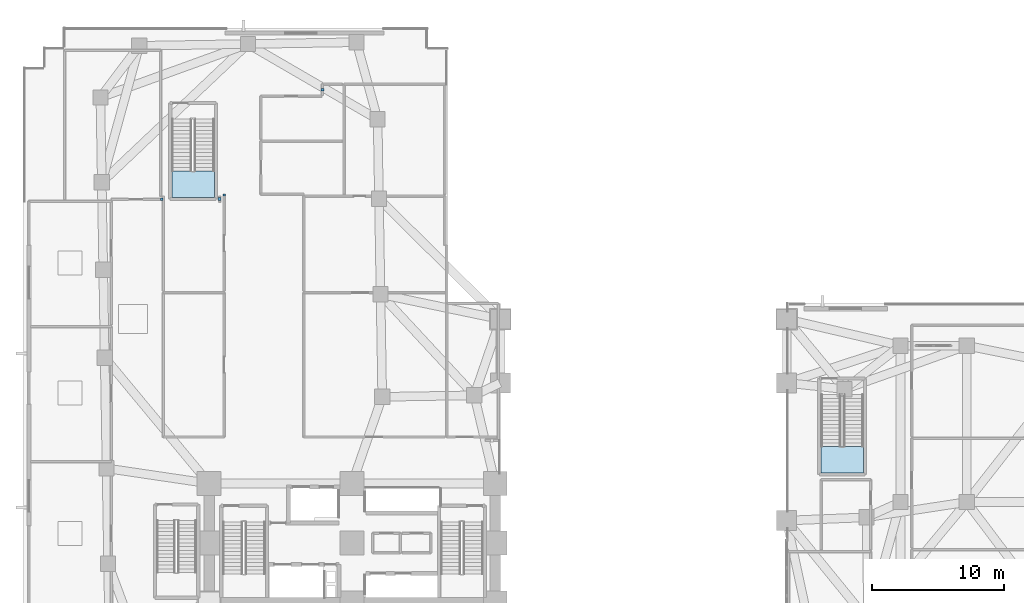
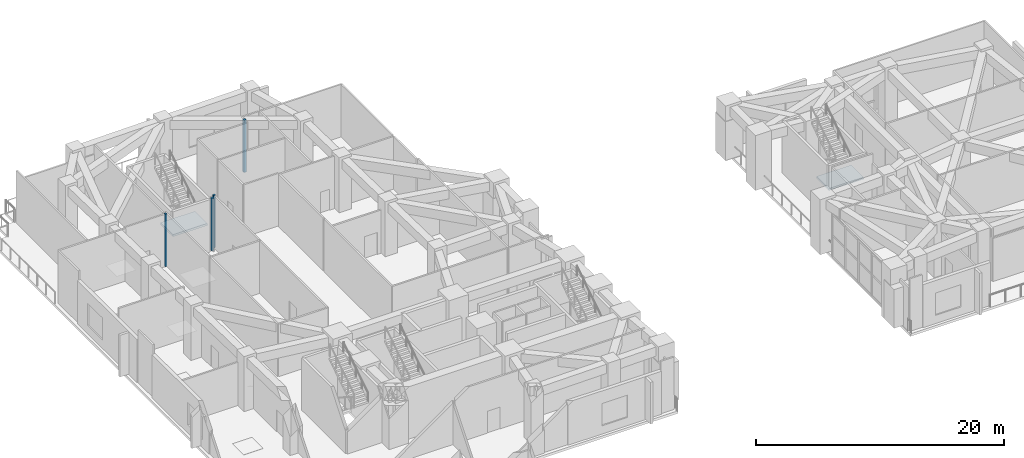
# One storey, part 6 of 18: 4 plates, 2 slabs, 2 elements without a shape of their own.
"""IFC4 building model written with IfcOpenShell, lengths in metres."""

from ifc_helpers import new_model, si_unit, direction, frame, origin, origin_2d, place, context, subcontext, project, spatial, polyline, rectangle, outline, extrude, material, layer, layer_set, type_object, element, aggregate, save


model = new_model("IFC4")

# Units and contexts
model_context = context("Model", 3, precision=1e-05, world=origin(), true_north=direction((0.0, 1.0)))
body_context = subcontext(model_context, "Body", "Model", "MODEL_VIEW")
ifc_project = project(units=[si_unit("LENGTHUNIT", "METRE"), si_unit("AREAUNIT", "SQUARE_METRE"), si_unit("VOLUMEUNIT", "CUBIC_METRE"), si_unit("PLANEANGLEUNIT", "RADIAN"), si_unit("MASSUNIT", "GRAM", prefix="KILO")], contexts=[model_context])

# Site, building, storey
site_placement = place(None, origin())
site = spatial("IfcSite", under=ifc_project, at=site_placement, CompositionType="ELEMENT")
building_placement = place(site_placement, origin())
building = spatial("IfcBuilding", under=site, at=building_placement, Name="Gaonmaruhae Medical Tower", CompositionType="ELEMENT")
storey_placement = place(building_placement, frame((0.0, 0.0, 10.800048828125)))
storey = spatial("IfcBuildingStorey", under=building, at=storey_placement, Name="L02", CompositionType="ELEMENT", Elevation=10.800048828125)

# Plates
ifc_material_1 = material(Name="Anodised aluminium 6063-T6", Category="aluminium")
ifc_layer_1 = layer(ifc_material_1, 0.011962890625)
ifc_layer_set_1 = layer_set([ifc_layer_1], Name="Anodised aluminium 6063-T6")
plate_type = type_object("IfcPlateType", Name="PP-01 Interior Partition Corner Stiffener Plate", PredefinedType="SHEET", material=ifc_layer_set_1)
for number, where, z_axis, x_axis, name in (
    (1, (15.139892578125, 38.580078125, 0.0), (0.0, 0.0, 1.0), (0.0, -1.0, 0.0), "L02 Partition End Jamb Post Plate PLT-L02-ENDP-PW064-0"),
    (2, (10.429931640625, 38.25, 0.0), (0.0, 0.0, 1.0), (-1.0, 0.0, 0.0), "L02 Partition End Jamb Post Plate PLT-L02-ENDP-PW078-0"),
):
    element("IfcPlate", number, at=place(storey_placement, frame(where, z_axis=z_axis, x_axis=x_axis)), inside=storey, type_object=plate_type, Name=name, PredefinedType="SHEET", context=body_context, shape_type="SweptSolid", body=[
        extrude(rectangle(XDim=0.179931640625, YDim=0.179931640625, at=origin_2d()), origin(), (0.0, 0.0, 1.0), 5.14990234375),
    ])
for number, where, z_axis, x_axis, name in (
    (3, (14.800048828125, 38.27490234375, 0.0), (0.0, 0.0, 1.0), (0.0, 1.0, 0.0), "L02 Partition Corner Stiffener Plate PLT-L02-JGP-PW063"),
    (4, (22.56005859375, 46.52197265625, 0.0), (0.0, 0.0, 1.0), (0.0, 1.0, 0.0), "L02 Partition Corner Stiffener Plate PLT-L02-JGP-PW074"),
):
    element("IfcPlate", number, at=place(storey_placement, frame(where, z_axis=z_axis, x_axis=x_axis)), inside=storey, type_object=plate_type, Name=name, PredefinedType="SHEET", context=body_context, shape_type="SweptSolid", body=[
        extrude(rectangle(XDim=0.219970703125, YDim=0.219970703125, at=origin_2d()), origin(), (0.0, 0.0, 1.0), 5.14990234375),
    ])

# Stair, slab
ifc_material_2 = material(Name="Concrete C40/50", Category="concrete")
stair_type = type_object("IfcStairType", Name="ST-T3 Podium Escape Dogleg Stair", PredefinedType="TWO_QUARTER_TURN_STAIR", material=ifc_material_2)
stair_1_placement = place(storey_placement, origin())
stair_1 = element("IfcStair", 5, at=stair_1_placement, inside=storey, type_object=stair_type, Name="L02 Protected Escape Stair ST-04", PredefinedType="TWO_QUARTER_TURN_STAIR")
ifc_layer_2 = layer(ifc_material_2, 0.199951171875)
ifc_layer_set_2 = layer_set([ifc_layer_2], Name="Concrete C40/50")
slab_type = type_object("IfcSlabType", Name="SL-200 Stair & Ramp Intermediate Concrete Landing", PredefinedType="LANDING", material=ifc_layer_set_2)
slab_1_placement = place(storey_placement, frame((0.0, 0.0, 2.5)))
slab_1 = element("IfcSlab", 6, at=slab_1_placement, type_object=slab_type, Name="ST-04 landing 1", PredefinedType="LANDING", context=body_context, shape_type="SweptSolid", body=[
    extrude(outline(polyline([(60.199951171875, 19.580078125), (60.199951171875, 17.60009765625), (63.39990234375, 17.60009765625), (63.39990234375, 19.580078125), (60.199951171875, 19.580078125)])), origin(), (0.0, 0.0, 1.0), 0.199951171875),
])
aggregate(stair_1, [slab_1])

stair_2_placement = place(storey_placement, origin())
stair_2 = element("IfcStair", 7, at=stair_2_placement, inside=storey, type_object=stair_type, Name="L02 Protected Escape Stair ST-05", PredefinedType="TWO_QUARTER_TURN_STAIR")
slab_2_placement = place(storey_placement, frame((0.0, 0.0, 2.5)))
slab_2 = element("IfcSlab", 8, at=slab_2_placement, type_object=slab_type, Name="ST-05 landing 1", PredefinedType="LANDING", context=body_context, shape_type="SweptSolid", body=[
    extrude(outline(polyline([(11.199951171875, 40.3798828125), (11.199951171875, 38.39990234375), (14.39990234375, 38.39990234375), (14.39990234375, 40.3798828125), (11.199951171875, 40.3798828125)])), origin(), (0.0, 0.0, 1.0), 0.199951171875),
])
aggregate(stair_2, [slab_2])

save(model, "model.ifc")
